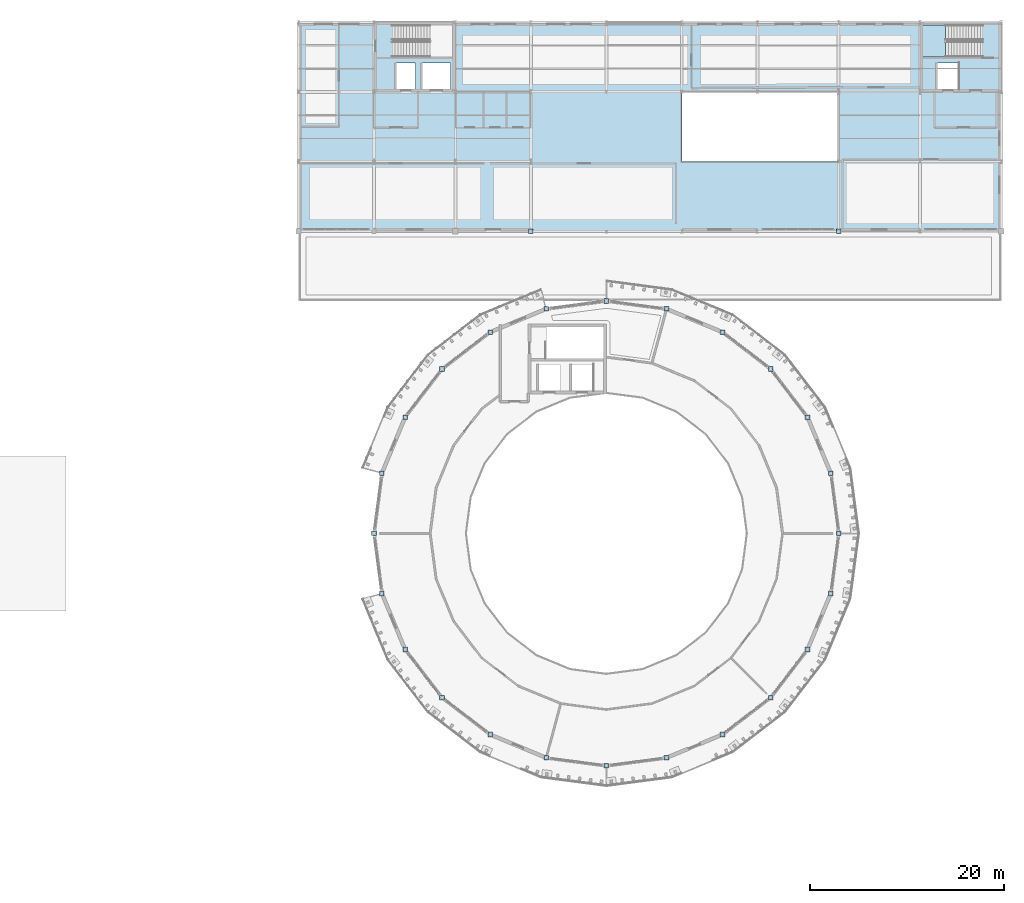
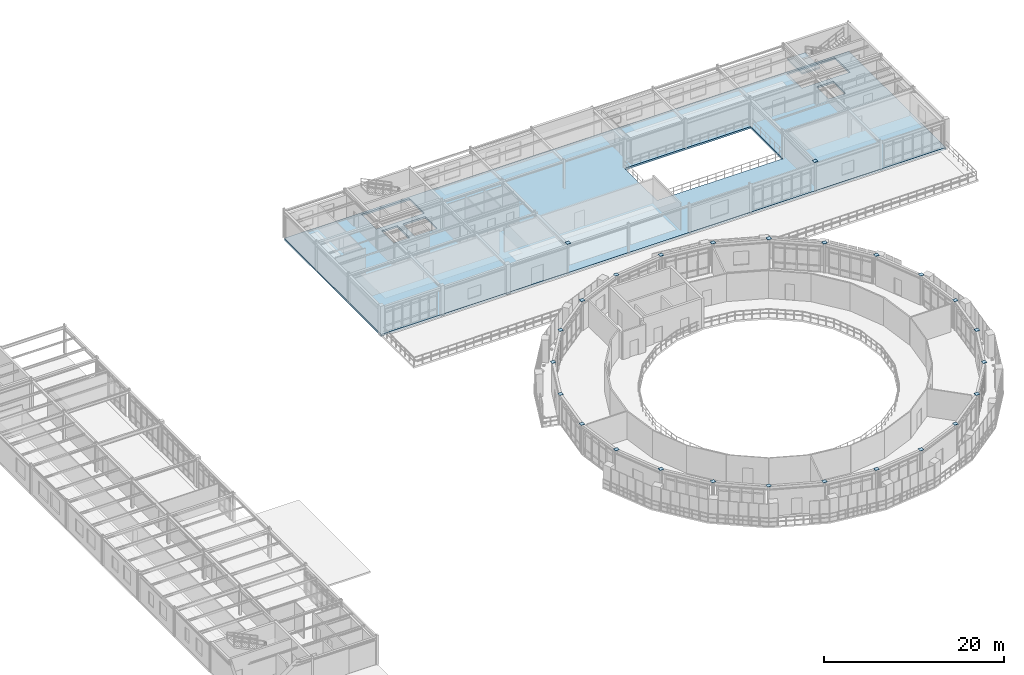
# One storey, part 41 of 58: 26 plates, 2 slabs, 1 element without a shape of its own.
"""IFC4 building model written with IfcOpenShell, lengths in metres."""

from ifc_helpers import new_model, si_unit, derived_unit, direction, frame, origin, origin_2d, place, context, subcontext, project, spatial, polyline, rectangle, outline, extrude, material, layer, layer_set, type_object, element, aggregate, save


model = new_model("IFC4")

# Units and contexts
model_context = context("Model", 3, precision=1e-05, world=origin(), true_north=direction((0.0, 1.0)))
body_context = subcontext(model_context, "Body", "Model", "MODEL_VIEW")
ifc_project = project(units=[si_unit("LENGTHUNIT", "METRE"), si_unit("AREAUNIT", "SQUARE_METRE"), si_unit("VOLUMEUNIT", "CUBIC_METRE"), si_unit("PLANEANGLEUNIT", "RADIAN"), si_unit("MASSUNIT", "GRAM", prefix="KILO"), derived_unit("THERMALTRANSMITTANCEUNIT", [(si_unit("POWERUNIT", "WATT"), 1), (si_unit("AREAUNIT", "SQUARE_METRE"), -1), (si_unit("THERMODYNAMICTEMPERATUREUNIT", "KELVIN"), -1)])], contexts=[model_context])

# Site, building, storey
site_placement = place(None, origin())
site = spatial("IfcSite", under=ifc_project, at=site_placement, CompositionType="ELEMENT")
building_placement = place(site_placement, origin())
building = spatial("IfcBuilding", under=site, at=building_placement, Name="Yasenodar Specialist Clinic", CompositionType="ELEMENT")
storey_placement = place(building_placement, frame((0.0, 0.0, 17.25)))
storey = spatial("IfcBuildingStorey", under=building, at=storey_placement, Name="L04", CompositionType="ELEMENT", Elevation=17.25)

# Plates
ifc_material_1 = material(Name="Steel S355", Category="steel")
ifc_layer_1 = layer(ifc_material_1, 0.028076171875)
ifc_layer_set_1 = layer_set([ifc_layer_1], Name="Steel S355")
plate_type = type_object("IfcPlateType", Name="PL-STEEL-06", PredefinedType="USERDEFINED", material=ifc_layer_set_1)
for number, where, z_axis, x_axis, name in (
    (1, (73.199951171875, 90.0, 4.0498046875), (0.0, 0.0, 1.0), (1.0, 0.0, 0.0), "L04 Hollow Column Top Cap Plate 013"),
    (2, (105.0, 90.0, 4.0498046875), (0.0, 0.0, 1.0), (1.0, 0.0, 0.0), "L04 Hollow Column Top Cap Plate 016"),
    (3, (105.0, 58.800048828125, 4.0498046875), (0.0, 0.0, 1.0), (1.0, 0.0, 0.0), "L04 Hollow Column Top Cap Plate 026"),
    (4, (104.18212890625, 65.01171875, 4.0498046875), (0.0, 0.0, 1.0), (1.0, 0.0, 0.0), "L04 Hollow Column Top Cap Plate 028"),
    (5, (101.78466796875, 70.800048828125, 4.0498046875), (0.0, 0.0, 1.0), (1.0, 0.0, 0.0), "L04 Hollow Column Top Cap Plate 030"),
    (6, (97.970703125, 75.7705078125, 4.0498046875), (0.0, 0.0, 1.0), (1.0, 0.0, 0.0), "L04 Hollow Column Top Cap Plate 032"),
    (7, (93.0, 79.584716796875, 4.0498046875), (0.0, 0.0, 1.0), (1.0, 0.0, 0.0), "L04 Hollow Column Top Cap Plate 034"),
    (8, (87.211669921875, 81.982177734375, 4.0498046875), (0.0, 0.0, 1.0), (1.0, 0.0, 0.0), "L04 Hollow Column Top Cap Plate 036"),
    (9, (81.0, 82.800048828125, 4.0498046875), (0.0, 0.0, 1.0), (1.0, 0.0, 0.0), "L04 Hollow Column Top Cap Plate 038"),
    (10, (74.788330078125, 81.982177734375, 4.0498046875), (0.0, 0.0, 1.0), (1.0, 0.0, 0.0), "L04 Hollow Column Top Cap Plate 039"),
    (11, (69.0, 79.584716796875, 4.0498046875), (0.0, 0.0, 1.0), (1.0, 0.0, 0.0), "L04 Hollow Column Top Cap Plate 040"),
    (12, (64.029296875, 75.7705078125, 4.0498046875), (0.0, 0.0, 1.0), (1.0, 0.0, 0.0), "L04 Hollow Column Top Cap Plate 042"),
    (13, (60.21533203125, 70.800048828125, 4.0498046875), (0.0, 0.0, 1.0), (1.0, 0.0, 0.0), "L04 Hollow Column Top Cap Plate 044"),
    (14, (57.81787109375, 65.01171875, 4.0498046875), (0.0, 0.0, 1.0), (1.0, 0.0, 0.0), "L04 Hollow Column Top Cap Plate 046"),
    (15, (57.0, 58.800048828125, 4.0498046875), (0.0, 0.0, 1.0), (1.0, 0.0, 0.0), "L04 Hollow Column Top Cap Plate 048"),
    (16, (57.81787109375, 52.58837890625, 4.0498046875), (0.0, 0.0, 1.0), (1.0, 0.0, 0.0), "L04 Hollow Column Top Cap Plate 050"),
    (17, (60.21533203125, 46.800048828125, 4.0498046875), (0.0, 0.0, 1.0), (1.0, 0.0, 0.0), "L04 Hollow Column Top Cap Plate 052"),
    (18, (64.029296875, 41.829345703125, 4.0498046875), (0.0, 0.0, 1.0), (1.0, 0.0, 0.0), "L04 Hollow Column Top Cap Plate 054"),
    (19, (69.0, 38.015380859375, 4.0498046875), (0.0, 0.0, 1.0), (1.0, 0.0, 0.0), "L04 Hollow Column Top Cap Plate 056"),
    (20, (74.788330078125, 35.617919921875, 4.0498046875), (0.0, 0.0, 1.0), (1.0, 0.0, 0.0), "L04 Hollow Column Top Cap Plate 058"),
    (21, (81.0, 34.800048828125, 4.0498046875), (0.0, 0.0, 1.0), (1.0, 0.0, 0.0), "L04 Hollow Column Top Cap Plate 060"),
    (22, (87.211669921875, 35.617919921875, 4.0498046875), (0.0, 0.0, 1.0), (1.0, 0.0, 0.0), "L04 Hollow Column Top Cap Plate 062"),
    (23, (93.0, 38.015380859375, 4.0498046875), (0.0, 0.0, 1.0), (1.0, 0.0, 0.0), "L04 Hollow Column Top Cap Plate 064"),
    (24, (97.970703125, 41.829345703125, 4.0498046875), (0.0, 0.0, 1.0), (1.0, 0.0, 0.0), "L04 Hollow Column Top Cap Plate 066"),
    (25, (101.78466796875, 46.800048828125, 4.0498046875), (0.0, 0.0, 1.0), (1.0, 0.0, 0.0), "L04 Hollow Column Top Cap Plate 068"),
    (26, (104.18212890625, 52.58837890625, 4.0498046875), (0.0, 0.0, 1.0), (1.0, 0.0, 0.0), "L04 Hollow Column Top Cap Plate 070"),
):
    element("IfcPlate", number, at=place(storey_placement, frame(where, z_axis=z_axis, x_axis=x_axis)), inside=storey, type_object=plate_type, Name=name, ObjectType="CAP_PLATE", PredefinedType="USERDEFINED", context=body_context, shape_type="SweptSolid", body=[
        extrude(rectangle(XDim=0.47998046875, YDim=0.47998046875, at=origin_2d()), origin(), (0.0, 0.0, 1.0), 0.028076171875),
    ])

# Slab
ifc_material_2 = material(Name="Concrete C30/37", Category="concrete")
ifc_layer_2 = layer(ifc_material_2, 0.25)
ifc_layer_set_2 = layer_set([ifc_layer_2], Name="Concrete C30/37")
slab_type_1 = type_object("IfcSlabType", Name="SLB-FLR-250", PredefinedType="FLOOR", material=ifc_layer_set_2)
slab_1_placement = place(storey_placement, frame((0.0, 0.0, -0.25)))
element("IfcSlab", 27, at=slab_1_placement, inside=storey, type_object=slab_type_1, Name="L04 V5 structural slab", PredefinedType="FLOOR", context=body_context, shape_type="SweptSolid", body=[
    extrude(outline(polyline([(49.199951171875, 111.60009765625), (121.800048828125, 111.60009765625), (121.800048828125, 90.0), (49.199951171875, 90.0), (49.199951171875, 111.60009765625)]), holes=[polyline([(65.1201171875, 108.010009765625), (65.1201171875, 111.31005859375), (58.9599609375, 111.31005859375), (58.9599609375, 108.010009765625), (65.1201171875, 108.010009765625)]), polyline([(119.840087890625, 108.010009765625), (119.840087890625, 111.31005859375), (113.679931640625, 111.31005859375), (113.679931640625, 108.010009765625), (119.840087890625, 108.010009765625)]), polyline([(61.300048828125, 104.699951171875), (61.300048828125, 107.39990234375), (59.300048828125, 107.39990234375), (59.300048828125, 104.699951171875), (61.300048828125, 104.699951171875)]), polyline([(64.89990234375, 104.699951171875), (64.89990234375, 107.39990234375), (62.0, 107.39990234375), (62.0, 104.699951171875), (64.89990234375, 104.699951171875)]), polyline([(117.39990234375, 104.699951171875), (117.39990234375, 107.39990234375), (115.199951171875, 107.39990234375), (115.199951171875, 104.699951171875), (117.39990234375, 104.699951171875)]), polyline([(105.0, 97.199951171875), (105.0, 104.39990234375), (88.800048828125, 104.39990234375), (88.800048828125, 97.199951171875), (105.0, 97.199951171875)])]), origin(), (0.0, 0.0, 1.0), 0.25),
])

# Stair, slab
stair_type = type_object("IfcStairType", Name="ST-DOG-C4-28", PredefinedType="HALF_TURN_STAIR", material=ifc_material_2)
stair_placement = place(storey_placement, origin())
stair = element("IfcStair", 28, at=stair_placement, inside=storey, type_object=stair_type, Name="L04 Core C5 Exit Stair ST-05", PredefinedType="HALF_TURN_STAIR")
ifc_layer_3 = layer(ifc_material_2, 0.199951171875)
ifc_layer_set_3 = layer_set([ifc_layer_3], Name="Concrete C30/37")
slab_type_2 = type_object("IfcSlabType", Name="SLB-LND-200", PredefinedType="LANDING", material=ifc_layer_set_3)
slab_2_placement = place(storey_placement, frame((0.0, 0.0, 1.824951171875)))
slab_2 = element("IfcSlab", 29, at=slab_2_placement, type_object=slab_type_2, Name="ST-05 landing 1", PredefinedType="LANDING", context=body_context, shape_type="SweptSolid", body=[
    extrude(outline(polyline([(116.030029296875, 111.31005859375), (113.679931640625, 111.31005859375), (113.679931640625, 108.010009765625), (116.030029296875, 108.010009765625), (116.030029296875, 111.31005859375)])), origin(), (0.0, 0.0, 1.0), 0.199951171875),
])
aggregate(stair, [slab_2])

save(model, "model.ifc")
